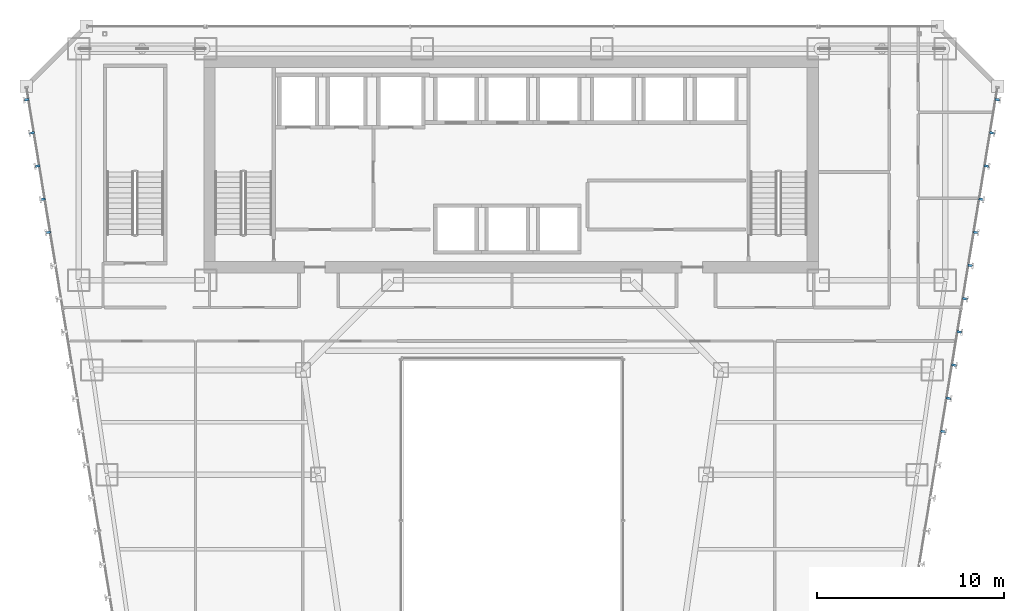
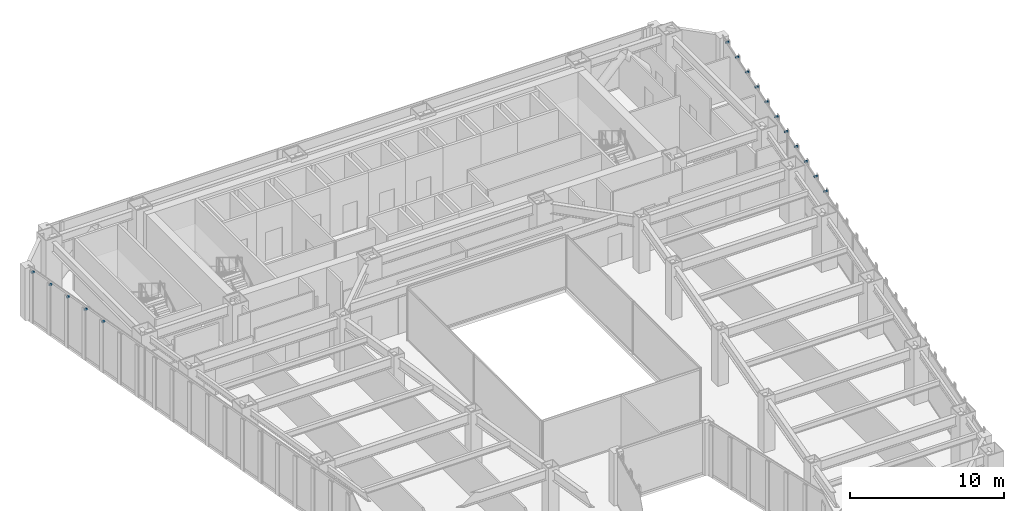
# One storey, part 40 of 47: 16 discrete accessories.
"""IFC4 building model written with IfcOpenShell, lengths in metres."""

from ifc_helpers import new_model, si_unit, direction, frame, origin, origin_2d, place, context, subcontext, project, spatial, rectangle, extrude, material, layer, layer_set, type_object, element, save


model = new_model("IFC4")

# Units and contexts
model_context = context("Model", 3, precision=1e-05, world=origin(), true_north=direction((0.0, 1.0)))
body_context = subcontext(model_context, "Body", "Model", "MODEL_VIEW")
ifc_project = project(units=[si_unit("LENGTHUNIT", "METRE"), si_unit("AREAUNIT", "SQUARE_METRE"), si_unit("VOLUMEUNIT", "CUBIC_METRE"), si_unit("PLANEANGLEUNIT", "RADIAN"), si_unit("MASSUNIT", "GRAM", prefix="KILO")], contexts=[model_context])

# Site, building, storey
site_placement = place(None, origin())
site = spatial("IfcSite", under=ifc_project, at=site_placement, CompositionType="ELEMENT")
building_placement = place(site_placement, origin())
building = spatial("IfcBuilding", under=site, at=building_placement, Name="Saevonmaru Cultural Tower", CompositionType="ELEMENT")
storey_placement = place(building_placement, frame((0.0, 0.0, 42.800048828125)))
storey = spatial("IfcBuildingStorey", under=building, at=storey_placement, Name="L08", CompositionType="ELEMENT", Elevation=42.800048828125)

# Discrete accessories
ifc_material = material(Name="Stainless Steel 316", Category="steel")
ifc_layer = layer(ifc_material, 0.1201171875, Name="Stainless Steel 316")
ifc_layer_set = layer_set([ifc_layer], Name="Stainless Steel 316")
discrete_accessory_type = type_object("IfcDiscreteAccessoryType", Name="ACC-FIN-BRKT", PredefinedType="BRACKET", material=ifc_layer_set)
for number, where, z_axis, x_axis, name in (
    (1, (53.081787109375, 34.31103515625, 3.929931640625), (0.0, 0.0, 1.0), (0.986827496189, -0.161776057456, 0.0), "L08 Bronze Fin Bracket E8-17"),
    (2, (53.372802734375, 36.08740234375, 3.929931640625), (0.0, 0.0, 1.0), (0.986827496189, -0.161776057456, 0.0), "L08 Bronze Fin Bracket E8-18"),
    (3, (53.663818359375, 37.86376953125, 3.929931640625), (0.0, 0.0, 1.0), (0.986827496189, -0.161776057456, 0.0), "L08 Bronze Fin Bracket E8-19"),
    (4, (53.955078125, 39.64013671875, 3.929931640625), (0.0, 0.0, 1.0), (0.986827496189, -0.161776057456, 0.0), "L08 Bronze Fin Bracket E8-20"),
    (5, (54.24609375, 41.41650390625, 3.929931640625), (0.0, 0.0, 1.0), (0.986827496189, -0.161776057456, 0.0), "L08 Bronze Fin Bracket E8-21"),
    (6, (54.537109375, 43.192626953125, 3.929931640625), (0.0, 0.0, 1.0), (0.986827496189, -0.161776057456, 0.0), "L08 Bronze Fin Bracket E8-22"),
    (7, (54.828125, 44.968994140625, 3.929931640625), (0.0, 0.0, 1.0), (0.986827496189, -0.161776057456, 0.0), "L08 Bronze Fin Bracket E8-23"),
    (8, (55.119384765625, 46.745361328125, 3.929931640625), (0.0, 0.0, 1.0), (0.986827496189, -0.161776057456, 0.0), "L08 Bronze Fin Bracket E8-24"),
    (9, (55.410400390625, 48.521484375, 3.929931640625), (0.0, 0.0, 1.0), (0.986827496189, -0.161776057456, 0.0), "L08 Bronze Fin Bracket E8-25"),
    (10, (55.701416015625, 50.2978515625, 3.929931640625), (0.0, 0.0, 1.0), (0.986827496189, -0.161776057456, 0.0), "L08 Bronze Fin Bracket E8-26"),
    (11, (55.992431640625, 52.07421875, 3.929931640625), (0.0, 0.0, 1.0), (0.986827496189, -0.161776057456, 0.0), "L08 Bronze Fin Bracket E8-27"),
    (12, (4.007568359375, 52.07421875, 3.929931640625), (0.0, 0.0, 1.0), (-0.986827496189, -0.161776057456, 0.0), "L08 Bronze Fin Bracket E12-01"),
    (13, (4.298583984375, 50.2978515625, 3.929931640625), (0.0, 0.0, 1.0), (-0.986827496189, -0.161776057456, 0.0), "L08 Bronze Fin Bracket E12-02"),
    (14, (4.589599609375, 48.521484375, 3.929931640625), (0.0, 0.0, 1.0), (-0.986827496189, -0.161776057456, 0.0), "L08 Bronze Fin Bracket E12-03"),
    (15, (4.880615234375, 46.745361328125, 3.929931640625), (0.0, 0.0, 1.0), (-0.986827496189, -0.161776057456, 0.0), "L08 Bronze Fin Bracket E12-04"),
    (16, (5.171875, 44.968994140625, 3.929931640625), (0.0, 0.0, 1.0), (-0.986827496189, -0.161776057456, 0.0), "L08 Bronze Fin Bracket E12-05"),
):
    element("IfcDiscreteAccessory", number, at=place(storey_placement, frame(where, z_axis=z_axis, x_axis=x_axis)), inside=storey, type_object=discrete_accessory_type, Name=name, PredefinedType="BRACKET", context=body_context, shape_type="SweptSolid", body=[
        extrude(rectangle(XDim=0.260009765625, YDim=0.1201171875, at=origin_2d()), origin(), (0.0, 0.0, 1.0), 0.1201171875),
    ])

save(model, "model.ifc")
